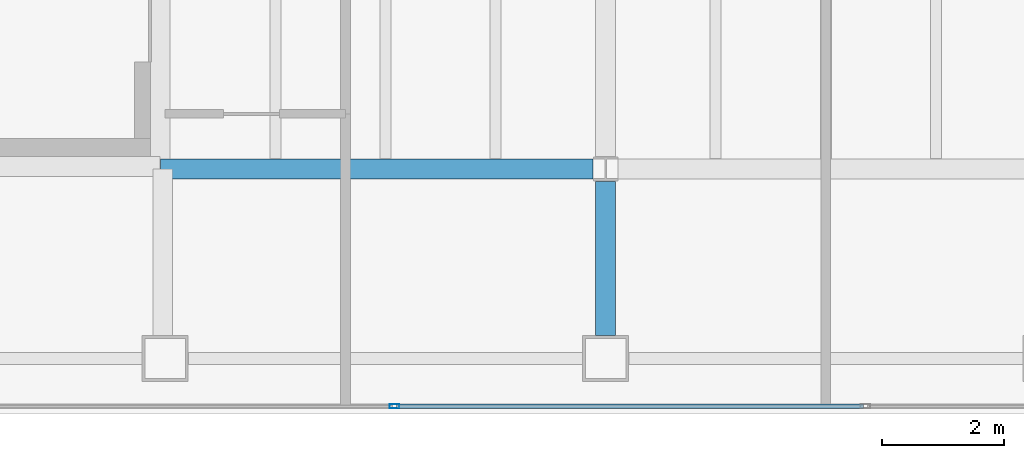
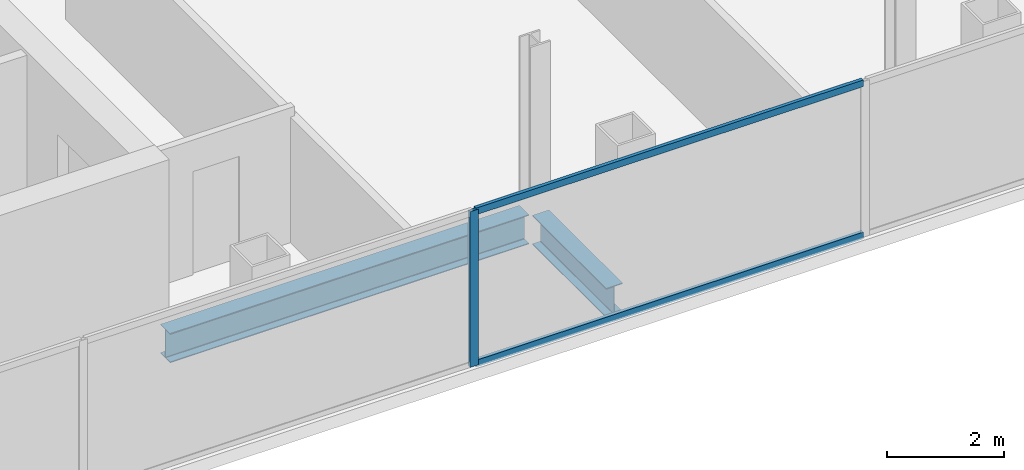
# One storey, part 4 of 23: 3 members, 2 beams, 1 element without a shape of its own.
"""IFC4 building model written with IfcOpenShell, lengths in metres."""

from ifc_helpers import new_model, si_unit, direction, frame, origin, origin_2d, place, context, subcontext, project, spatial, hollow_rectangle, i_section, extrude, material, material_profile, profile_set, type_object, element, aggregate, save


model = new_model("IFC4")

# Units and contexts
model_context = context("Model", 3, precision=1e-05, world=origin(), true_north=direction((0.0, 1.0)))
body_context = subcontext(model_context, "Body", "Model", "MODEL_VIEW")
ifc_project = project(units=[si_unit("LENGTHUNIT", "METRE"), si_unit("AREAUNIT", "SQUARE_METRE"), si_unit("VOLUMEUNIT", "CUBIC_METRE"), si_unit("PLANEANGLEUNIT", "RADIAN"), si_unit("MASSUNIT", "GRAM", prefix="KILO")], contexts=[model_context])

# Site, building, storey
site_placement = place(None, origin())
site = spatial("IfcSite", under=ifc_project, at=site_placement, CompositionType="ELEMENT")
building_placement = place(site_placement, origin())
building = spatial("IfcBuilding", under=site, at=building_placement, Name="Cobrela Telecom Tower", CompositionType="ELEMENT")
storey_placement = place(building_placement, frame((0.0, 0.0, 215.25)))
storey = spatial("IfcBuildingStorey", under=building, at=storey_placement, Name="L55", CompositionType="ELEMENT", Elevation=215.25)

# Beams
ifc_material_1 = material(Name="Steel ASTM A992 Grade 50", Category="steel")
ifc_material_profile_1 = material_profile(ifc_material_1, i_section(OverallWidth=0.324951171875, OverallDepth=0.612060546875, WebThickness=0.0126953125, FlangeThickness=0.01904296875, FilletRadius=0.014892578125, at=origin_2d()), Name="W24X104")
ifc_profile_set_1 = profile_set([ifc_material_profile_1], Name="Steel ASTM A992 Grade 50")
beam_type = type_object("IfcBeamType", Name="BM-GIRD-07", PredefinedType="USERDEFINED", material=ifc_profile_set_1)
beam_1_placement = place(storey_placement, frame((14.324951171875, 7.199951171875, -0.56591796875), z_axis=(1.0, 0.0, 0.0), x_axis=(0.0, 1.0, 0.0)))
element("IfcBeam", 1, at=beam_1_placement, inside=storey, type_object=beam_type, Name="L55 Primary Girder X07", ObjectType="GIRDER", PredefinedType="USERDEFINED", context=body_context, shape_type="SweptSolid", body=[
    extrude(i_section(OverallWidth=0.324951171875, OverallDepth=0.612060546875, WebThickness=0.0126953125, FlangeThickness=0.01904296875, FilletRadius=0.014892578125, at=origin_2d()), origin(), (0.0, 0.0, 1.0), 7.070556640625),
])
beam_2_placement = place(storey_placement, frame((21.60009765625, 4.47998046875, -0.56591796875), z_axis=(0.0, 1.0, 0.0), x_axis=(-1.0, 0.0, 0.0)))
element("IfcBeam", 2, at=beam_2_placement, inside=storey, type_object=beam_type, Name="L55 Primary Girder Y32", ObjectType="GIRDER", PredefinedType="USERDEFINED", context=body_context, shape_type="SweptSolid", body=[
    extrude(i_section(OverallWidth=0.324951171875, OverallDepth=0.612060546875, WebThickness=0.0126953125, FlangeThickness=0.01904296875, FilletRadius=0.014892578125, at=origin_2d()), origin(), (0.0, 0.0, 1.0), 2.515625),
])

# Curtain wall, members
ifc_material_2 = material(Name="Anodized Bronze Aluminium 6063-T6", Category="aluminium")
curtain_wall_type = type_object("IfcCurtainWallType", Name="CW-SYS-OFF-LO", PredefinedType="USERDEFINED", material=ifc_material_2)
curtain_wall_placement = place(storey_placement, origin())
curtain_wall = element("IfcCurtainWall", 3, at=curtain_wall_placement, inside=storey, type_object=curtain_wall_type, Name="L55 Unitised Bronze Curtain Wall 17", ObjectType="UNITISED CURTAIN WALL", PredefinedType="USERDEFINED")
ifc_material_profile_2 = material_profile(ifc_material_2, hollow_rectangle(XDim=0.070068359375, YDim=0.159912109375, WallThickness=0.00390625, at=origin_2d()), Name="ALU 70x160x4")
ifc_profile_set_2 = profile_set([ifc_material_profile_2], Name="Anodized Bronze Aluminium 6063-T6")
member_type_1 = type_object("IfcMemberType", Name="CW-SYS-OFF-LO-MUL", PredefinedType="MULLION", material=ifc_profile_set_2)
member_1_placement = place(storey_placement, frame((18.14990234375, 3.320068359375, 0.0), z_axis=(0.0, 0.0, 1.0), x_axis=(0.0, -1.0, 0.0)))
member_1 = element("IfcMember", 4, at=member_1_placement, type_object=member_type_1, Name="CW-OFF-LO mullion 4", PredefinedType="MULLION", context=body_context, shape_type="SweptSolid", body=[
    extrude(hollow_rectangle(XDim=0.070068359375, YDim=0.159912109375, WallThickness=0.00390625, at=origin_2d()), origin(), (0.0, 0.0, 1.0), 3.239990234375),
])
ifc_material_profile_3 = material_profile(ifc_material_2, hollow_rectangle(XDim=0.070068359375, YDim=0.139892578125, WallThickness=0.00390625, at=origin_2d()), Name="ALU 70x140x4")
ifc_profile_set_3 = profile_set([ifc_material_profile_3], Name="Anodized Bronze Aluminium 6063-T6")
member_type_2 = type_object("IfcMemberType", Name="CW-SYS-OFF-LO-TRN", PredefinedType="USERDEFINED", material=ifc_profile_set_3)
member_2_placement = place(storey_placement, frame((25.81494140625, 3.320068359375, 0.034912109375), z_axis=(-1.0, 0.0, 0.0), x_axis=(0.0, -1.0, 0.0)))
member_2 = element("IfcMember", 5, at=member_2_placement, type_object=member_type_2, Name="CW-OFF-LO transom 3.1", ObjectType="TRANSOM", PredefinedType="USERDEFINED", context=body_context, shape_type="SweptSolid", body=[
    extrude(hollow_rectangle(XDim=0.070068359375, YDim=0.139892578125, WallThickness=0.00390625, at=origin_2d()), origin(), (0.0, 0.0, 1.0), 7.6298828125),
])
member_3_placement = place(storey_placement, frame((25.81494140625, 3.320068359375, 3.205078125), z_axis=(-1.0, 0.0, 0.0), x_axis=(0.0, -1.0, 0.0)))
member_3 = element("IfcMember", 6, at=member_3_placement, type_object=member_type_2, Name="CW-OFF-LO transom 3.2", ObjectType="TRANSOM", PredefinedType="USERDEFINED", context=body_context, shape_type="SweptSolid", body=[
    extrude(hollow_rectangle(XDim=0.070068359375, YDim=0.139892578125, WallThickness=0.00390625, at=origin_2d()), origin(), (0.0, 0.0, 1.0), 7.6298828125),
])
aggregate(curtain_wall, [member_1, member_2, member_3])

save(model, "model.ifc")
